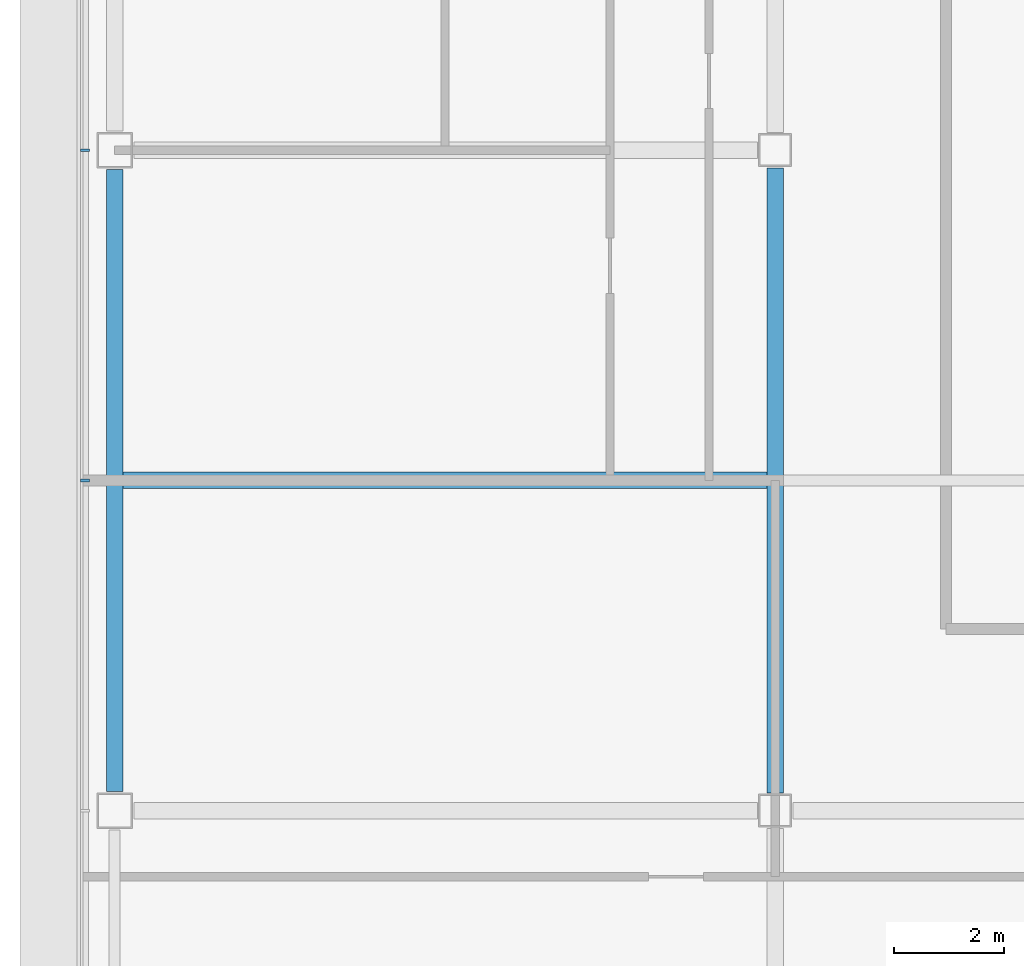
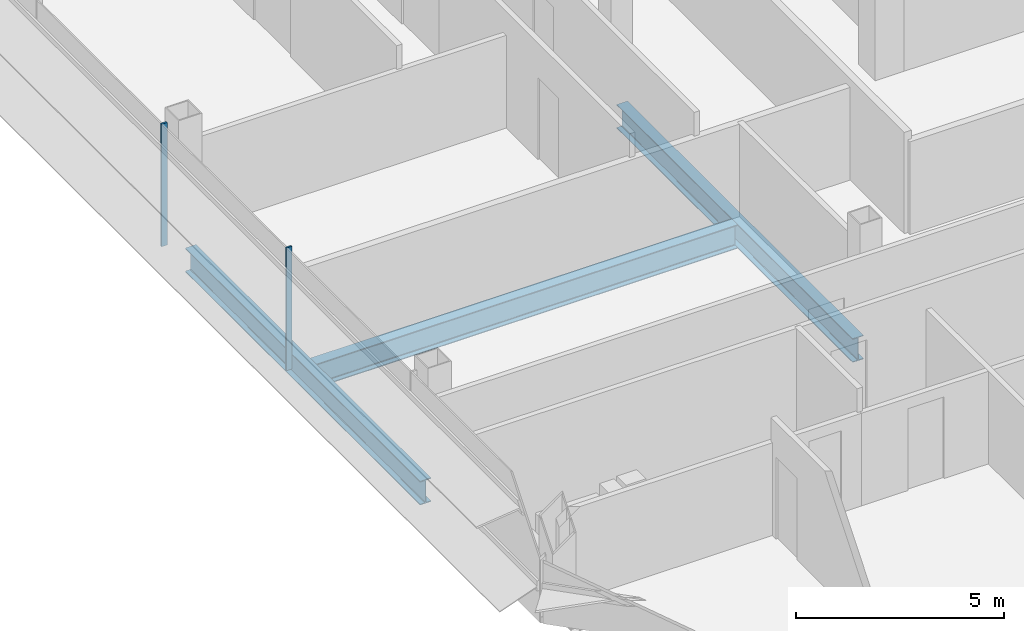
# One storey, part 4 of 29: 3 beams, 2 members, 1 element without a shape of its own.
"""IFC4 building model written with IfcOpenShell, lengths in metres."""

from ifc_helpers import new_model, si_unit, direction, frame, origin, origin_2d, place, context, subcontext, project, spatial, rectangle, i_section, extrude, material, material_profile, profile_set, type_object, element, aggregate, save


model = new_model("IFC4")

# Units and contexts
model_context = context("Model", 3, precision=1e-05, world=origin(), true_north=direction((0.0, 1.0)))
body_context = subcontext(model_context, "Body", "Model", "MODEL_VIEW")
ifc_project = project(units=[si_unit("LENGTHUNIT", "METRE"), si_unit("AREAUNIT", "SQUARE_METRE"), si_unit("VOLUMEUNIT", "CUBIC_METRE"), si_unit("PLANEANGLEUNIT", "RADIAN"), si_unit("MASSUNIT", "GRAM", prefix="KILO")], contexts=[model_context])

# Site, building, storey
site_placement = place(None, origin())
site = spatial("IfcSite", under=ifc_project, at=site_placement, CompositionType="ELEMENT")
building_placement = place(site_placement, origin())
building = spatial("IfcBuilding", under=site, at=building_placement, Name="Sorahane Residences", CompositionType="ELEMENT")
storey_placement = place(building_placement, frame((0.0, 0.0, 199.199951171875)))
storey = spatial("IfcBuildingStorey", under=building, at=storey_placement, Name="L46", CompositionType="ELEMENT", Elevation=199.199951171875)

# Curtain wall, members
ifc_material_1 = material(Name="Dark low-e glass and black anodised aluminium", Category="aluminium")
curtain_wall_type = type_object("IfcCurtainWallType", Name="Curtain wall CW-1 Typical unitised wall", PredefinedType="NOTDEFINED", material=ifc_material_1)
curtain_wall_placement = place(storey_placement, origin())
curtain_wall = element("IfcCurtainWall", 1, at=curtain_wall_placement, inside=storey, type_object=curtain_wall_type, Name="CW-1 curtain wall L46 W1", PredefinedType="NOTDEFINED")
ifc_material_2 = material(Name="Black anodised aluminium", Category="aluminium")
ifc_material_profile_1 = material_profile(ifc_material_2, rectangle(XDim=0.159912109375, YDim=0.050048828125, at=origin_2d()), Name="Curtain wall mullion CW-1 black anodised aluminium 50x160")
ifc_profile_set_1 = profile_set([ifc_material_profile_1], Name="Black anodised aluminium")
member_type = type_object("IfcMemberType", Name="Curtain wall mullion CW-1 black anodised aluminium 50x160", PredefinedType="MULLION", material=ifc_profile_set_1)
member_1_placement = place(storey_placement, frame((-12.5400390625, 24.0, -0.179931640625), z_axis=(0.0, 0.0, 1.0), x_axis=(-1.0, 0.0, 0.0)))
member_1 = element("IfcMember", 2, at=member_1_placement, type_object=member_type, Name="CW-1 mullion L46 W1.4", PredefinedType="MULLION", context=body_context, shape_type="SweptSolid", body=[
    extrude(rectangle(XDim=0.159912109375, YDim=0.050048828125, at=origin_2d()), origin(), (0.0, 0.0, 1.0), 3.60009765625),
])
member_2_placement = place(storey_placement, frame((-12.5400390625, 18.0, -0.179931640625), z_axis=(0.0, 0.0, 1.0), x_axis=(-1.0, 0.0, 0.0)))
member_2 = element("IfcMember", 3, at=member_2_placement, type_object=member_type, Name="CW-1 mullion L46 W1.5", PredefinedType="MULLION", context=body_context, shape_type="SweptSolid", body=[
    extrude(rectangle(XDim=0.159912109375, YDim=0.050048828125, at=origin_2d()), origin(), (0.0, 0.0, 1.0), 3.60009765625),
])
aggregate(curtain_wall, [member_1, member_2])

# Beams
ifc_material_3 = material(Name="Steel Q355B", Category="steel")
ifc_material_profile_2 = material_profile(ifc_material_3, i_section(OverallWidth=0.300048828125, OverallDepth=0.699951171875, WebThickness=0.012939453125, FlangeThickness=0.02392578125, FilletRadius=0.028076171875, at=origin_2d()), Name="HN 700x300x13x24")
ifc_profile_set_2 = profile_set([ifc_material_profile_2], Name="Steel Q355B")
beam_type = type_object("IfcBeamType", Name="Steel floor beam HN 700x300x13x24 Q355B", PredefinedType="BEAM", material=ifc_profile_set_2)
beam_1_placement = place(storey_placement, frame((-12.0, 12.35009765625, -0.530029296875), z_axis=(0.0, 1.0, 0.0), x_axis=(-1.0, 0.0, 0.0)))
element("IfcBeam", 4, at=beam_1_placement, inside=storey, type_object=beam_type, Name="Beam L46 020", PredefinedType="BEAM", context=body_context, shape_type="SweptSolid", body=[
    extrude(i_section(OverallWidth=0.300048828125, OverallDepth=0.699951171875, WebThickness=0.012939453125, FlangeThickness=0.02392578125, FilletRadius=0.028076171875, at=origin_2d()), origin(), (0.0, 0.0, 1.0), 11.2998046875),
])
beam_2_placement = place(storey_placement, frame((0.0, 12.324951171875, -0.530029296875), z_axis=(0.0, 1.0, 0.0), x_axis=(-1.0, 0.0, 0.0)))
element("IfcBeam", 5, at=beam_2_placement, inside=storey, type_object=beam_type, Name="Beam L46 024", PredefinedType="BEAM", context=body_context, shape_type="SweptSolid", body=[
    extrude(i_section(OverallWidth=0.300048828125, OverallDepth=0.699951171875, WebThickness=0.012939453125, FlangeThickness=0.02392578125, FilletRadius=0.028076171875, at=origin_2d()), origin(), (0.0, 0.0, 1.0), 11.35009765625),
])
beam_3_placement = place(storey_placement, frame((-11.85009765625, 18.0, -0.530029296875), z_axis=(1.0, 0.0, 0.0), x_axis=(0.0, 1.0, 0.0)))
element("IfcBeam", 6, at=beam_3_placement, inside=storey, type_object=beam_type, Name="Beam L46 075", PredefinedType="BEAM", context=body_context, shape_type="SweptSolid", body=[
    extrude(i_section(OverallWidth=0.300048828125, OverallDepth=0.699951171875, WebThickness=0.012939453125, FlangeThickness=0.02392578125, FilletRadius=0.028076171875, at=origin_2d()), origin(), (0.0, 0.0, 1.0), 11.7001953125),
])

save(model, "model.ifc")
